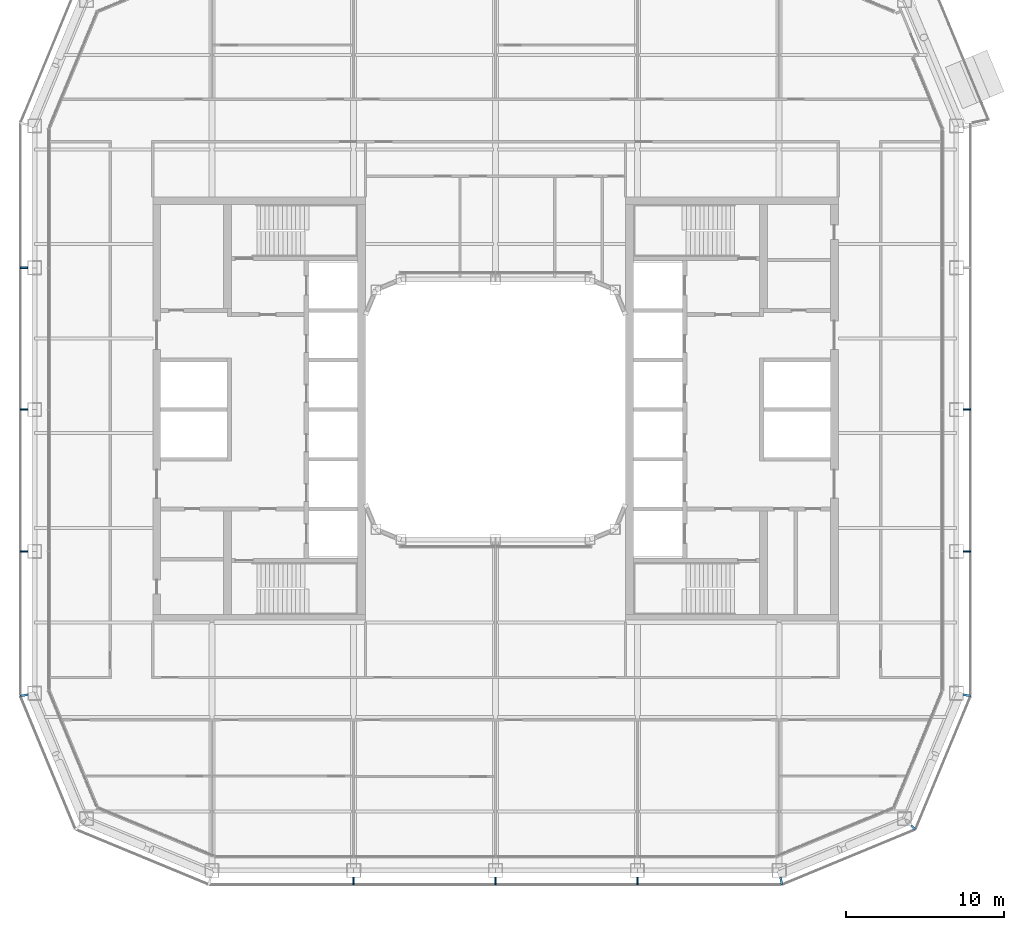
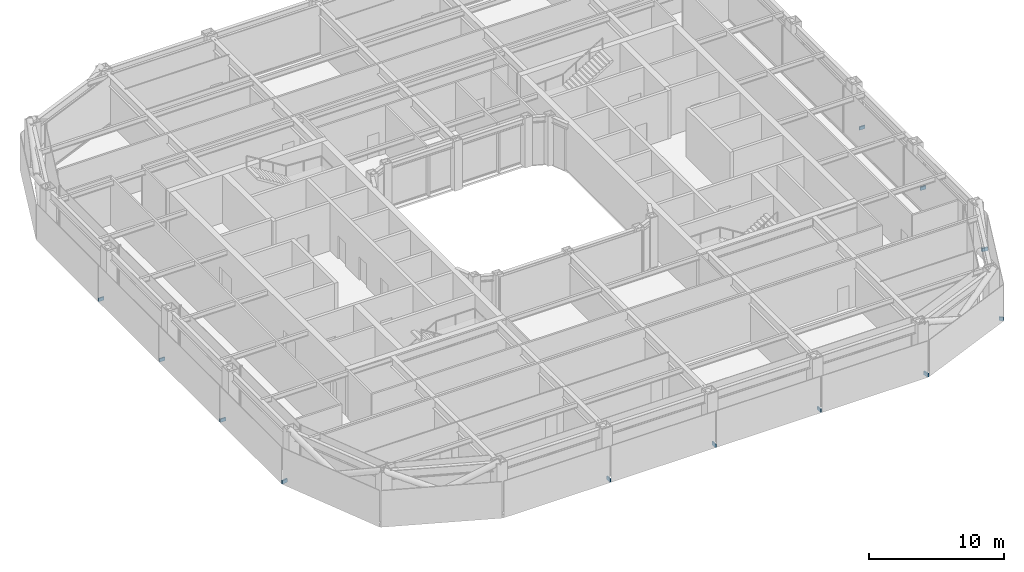
# One storey, part 16 of 24: 12 discrete accessories.
"""IFC4 building model written with IfcOpenShell, lengths in metres."""

from ifc_helpers import new_model, si_unit, direction, frame, origin, origin_2d, place, context, subcontext, project, spatial, rectangle, extrude, material, type_object, element, save


model = new_model("IFC4")

# Units and contexts
model_context = context("Model", 3, precision=1e-05, world=origin(), true_north=direction((0.0, 1.0)))
body_context = subcontext(model_context, "Body", "Model", "MODEL_VIEW")
ifc_project = project(units=[si_unit("LENGTHUNIT", "METRE"), si_unit("AREAUNIT", "SQUARE_METRE"), si_unit("VOLUMEUNIT", "CUBIC_METRE"), si_unit("PLANEANGLEUNIT", "RADIAN"), si_unit("MASSUNIT", "GRAM", prefix="KILO")], contexts=[model_context])

# Site, building, storey
site_placement = place(None, origin())
site = spatial("IfcSite", under=ifc_project, at=site_placement, CompositionType="ELEMENT")
building_placement = place(site_placement, origin())
building = spatial("IfcBuilding", under=site, at=building_placement, Name="Siwar Civic Tower", CompositionType="ELEMENT")
storey_placement = place(building_placement, frame((0.0, 0.0, 149.699951171875)))
storey = spatial("IfcBuildingStorey", under=building, at=storey_placement, Name="L32", CompositionType="ELEMENT", Elevation=149.699951171875)

# Discrete accessories
ifc_material = material(Name="Stainless steel 316", Category="steel")
discrete_accessory_type = type_object("IfcDiscreteAccessoryType", Name="ENV-BRACKET", PredefinedType="BRACKET", material=ifc_material)
for number, where, z_axis, x_axis, name in (
    (1, (29.9150390625, -9.0, -0.14990234375), (0.0, 0.0, 1.0), (1.0, 0.0, 0.0), "Bracket outer skin joint E-01"),
    (2, (29.9150390625, 0.0, -0.14990234375), (0.0, 0.0, 1.0), (1.0, 0.0, 0.0), "Bracket outer skin joint E-02"),
    (3, (-9.0, -29.9150390625, -0.14990234375), (0.0, 0.0, 1.0), (0.0, -1.0, 0.0), "Bracket outer skin joint S-01"),
    (4, (0.0, -29.9150390625, -0.14990234375), (0.0, 0.0, 1.0), (0.0, -1.0, 0.0), "Bracket outer skin joint S-02"),
    (5, (9.0, -29.9150390625, -0.14990234375), (0.0, 0.0, 1.0), (0.0, -1.0, 0.0), "Bracket outer skin joint S-03"),
):
    element("IfcDiscreteAccessory", number, at=place(storey_placement, frame(where, z_axis=z_axis, x_axis=x_axis)), inside=storey, type_object=discrete_accessory_type, Name=name, PredefinedType="BRACKET", context=body_context, shape_type="SweptSolid", body=[
        extrude(rectangle(XDim=0.469970703125, YDim=0.10009765625, at=origin_2d()), origin(), (0.0, 0.0, 1.0), 0.300048828125),
    ])
discrete_accessory_1_placement = place(storey_placement, frame((18.13232421875, -29.915283203125, -0.14990234375), z_axis=(0.0, 0.0, 1.0), x_axis=(0.195090322016, -0.980785280403, 0.0)))
element("IfcDiscreteAccessory", 6, at=discrete_accessory_1_placement, inside=storey, type_object=discrete_accessory_type, Name="Bracket outer skin joint V01", PredefinedType="BRACKET", context=body_context, shape_type="SweptSolid", body=[
    extrude(rectangle(XDim=0.478759765625, YDim=0.13720703125, at=origin_2d()), origin(), (0.0, 0.0, 1.0), 0.300048828125),
])
discrete_accessory_2_placement = place(storey_placement, frame((26.517333984375, -26.517333984375, -0.14990234375), z_axis=(0.0, 0.0, 1.0), x_axis=(0.707106781187, -0.707106781187, 0.0)))
element("IfcDiscreteAccessory", 7, at=discrete_accessory_2_placement, inside=storey, type_object=discrete_accessory_type, Name="Bracket outer skin joint V02", PredefinedType="BRACKET", context=body_context, shape_type="SweptSolid", body=[
    extrude(rectangle(XDim=0.357666015625, YDim=0.12939453125, at=origin_2d()), origin(), (0.0, 0.0, 1.0), 0.300048828125),
])
for number, where, z_axis, x_axis, name in (
    (8, (29.915283203125, -18.13232421875, -0.14990234375), (0.0, 0.0, 1.0), (0.980785280403, -0.195090322016, 0.0), "Bracket outer skin joint V03"),
    (9, (-29.915283203125, -18.13232421875, -0.14990234375), (0.0, 0.0, 1.0), (-0.980785280403, -0.195090322016, 0.0), "Bracket outer skin joint V10"),
):
    element("IfcDiscreteAccessory", number, at=place(storey_placement, frame(where, z_axis=z_axis, x_axis=x_axis)), inside=storey, type_object=discrete_accessory_type, Name=name, PredefinedType="BRACKET", context=body_context, shape_type="SweptSolid", body=[
        extrude(rectangle(XDim=0.478759765625, YDim=0.13720703125, at=origin_2d()), origin(), (0.0, 0.0, 1.0), 0.300048828125),
    ])
for number, where, z_axis, x_axis, name in (
    (10, (-29.9150390625, 9.0, -0.14990234375), (0.0, 0.0, 1.0), (-1.0, 0.0, 0.0), "Bracket outer skin joint W-01"),
    (11, (-29.9150390625, 0.0, -0.14990234375), (0.0, 0.0, 1.0), (-1.0, 0.0, 0.0), "Bracket outer skin joint W-02"),
    (12, (-29.9150390625, -9.0, -0.14990234375), (0.0, 0.0, 1.0), (-1.0, 0.0, 0.0), "Bracket outer skin joint W-03"),
):
    element("IfcDiscreteAccessory", number, at=place(storey_placement, frame(where, z_axis=z_axis, x_axis=x_axis)), inside=storey, type_object=discrete_accessory_type, Name=name, PredefinedType="BRACKET", context=body_context, shape_type="SweptSolid", body=[
        extrude(rectangle(XDim=0.469970703125, YDim=0.10009765625, at=origin_2d()), origin(), (0.0, 0.0, 1.0), 0.300048828125),
    ])

save(model, "model.ifc")
